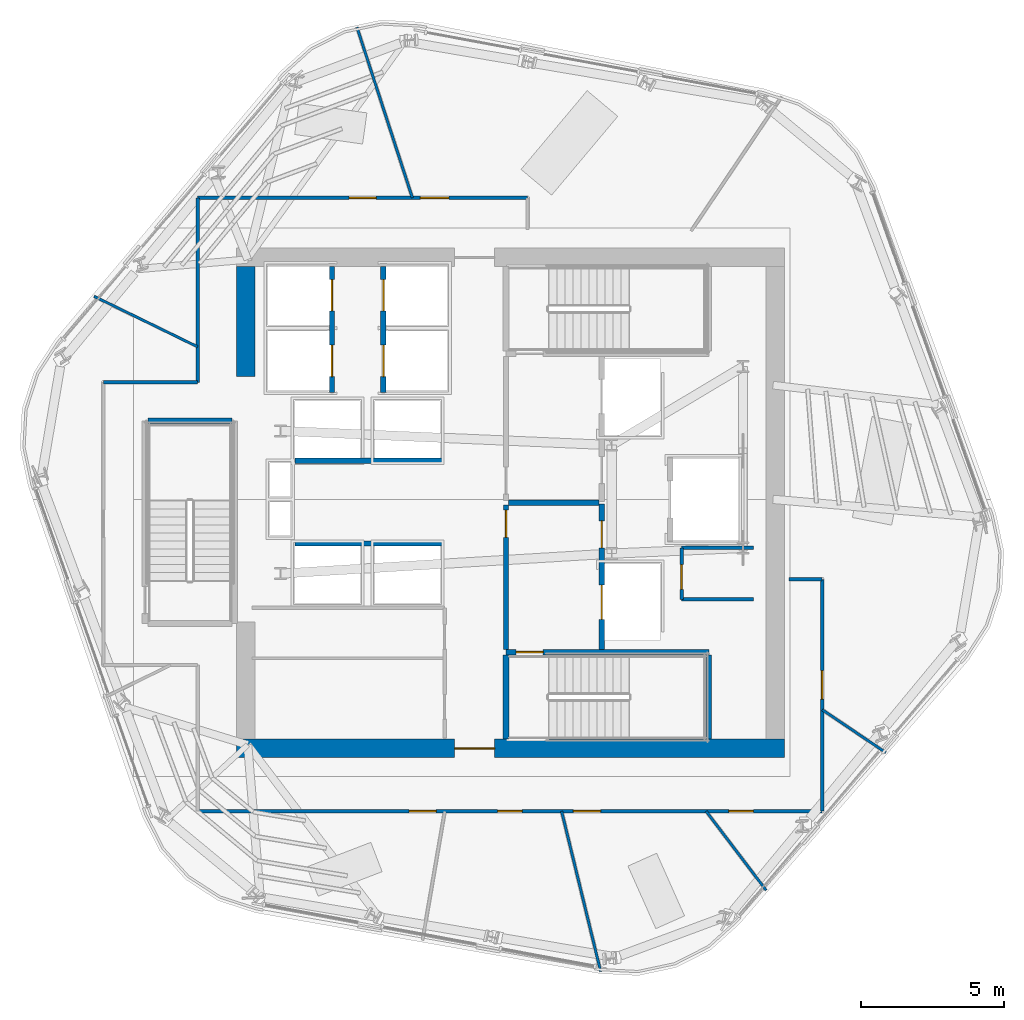
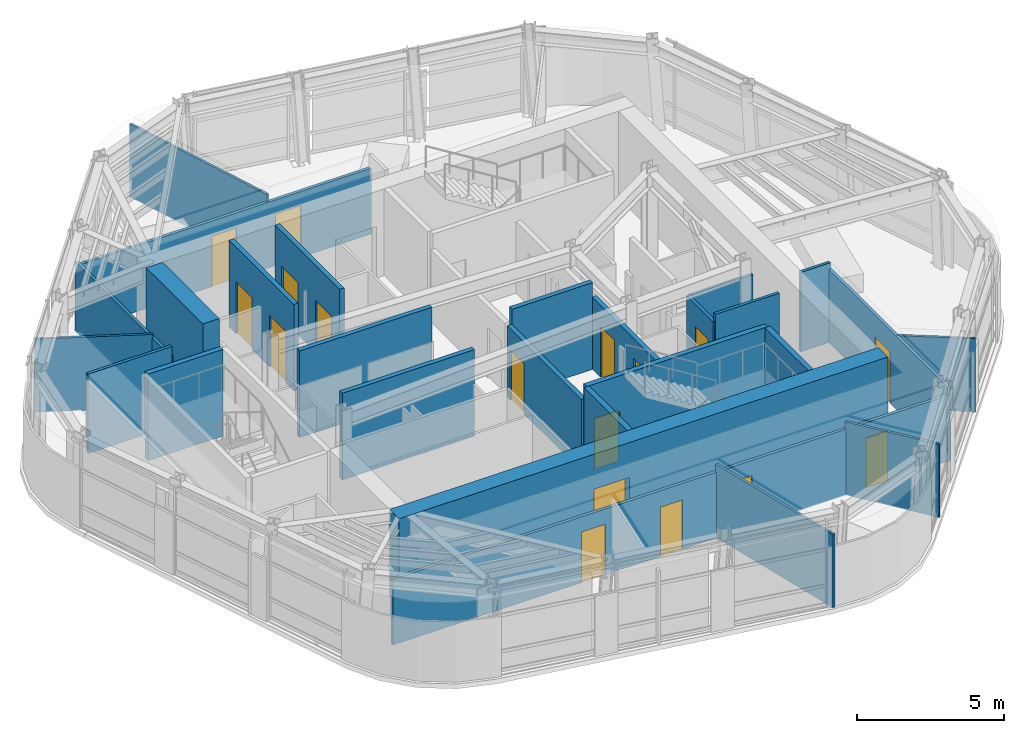
# One storey, part 6 of 12: 27 walls, 17 doors, 17 openings.
"""IFC4 building model written with IfcOpenShell, lengths in metres."""

from ifc_helpers import new_model, si_unit, direction, frame, frame_2d, origin, place, context, subcontext, project, spatial, rectangle, extrude, material, layer, layer_set, type_object, element, fill, save


model = new_model("IFC4")

# Units and contexts
model_context = context("Model", 3, precision=1e-05, world=origin(), true_north=direction((0.0, 1.0)))
body_context = subcontext(model_context, "Body", "Model", "MODEL_VIEW")
ifc_project = project(units=[si_unit("LENGTHUNIT", "METRE"), si_unit("AREAUNIT", "SQUARE_METRE"), si_unit("VOLUMEUNIT", "CUBIC_METRE"), si_unit("PLANEANGLEUNIT", "RADIAN"), si_unit("MASSUNIT", "GRAM", prefix="KILO")], contexts=[model_context])

# Site, building, storey
site_placement = place(None, origin())
site = spatial("IfcSite", under=ifc_project, at=site_placement, CompositionType="ELEMENT")
building_placement = place(site_placement, origin())
building = spatial("IfcBuilding", under=site, at=building_placement, Name="Valkerne Bourse Tower", CompositionType="ELEMENT")
storey_placement = place(building_placement, frame((0.0, 0.0, 236.0)))
storey = spatial("IfcBuildingStorey", under=building, at=storey_placement, Name="L60", CompositionType="ELEMENT", Elevation=236.0)

# Wall, opening, door
ifc_material_1 = material(Name="Concrete C55/67", Category="concrete")
ifc_layer_1 = layer(ifc_material_1, 0.64990234375)
ifc_layer_set_1 = layer_set([ifc_layer_1], Name="Concrete C55/67")
wall_type_1 = type_object("IfcWallType", Name="W-CORE-650", PredefinedType="SHEAR", material=ifc_layer_set_1)
wall_1_placement = place(storey_placement, frame((37.199951171875, 18.27490234375, 0.0), z_axis=(0.0, 0.0, 1.0), x_axis=(1.0, 0.0, 0.0)))
wall_1 = element("IfcWall", 1, at=wall_1_placement, inside=storey, type_object=wall_type_1, Name="L60 Core Shear Wall SOUTH", PredefinedType="SHEAR", context=body_context, shape_type="SweptSolid", body=[
    extrude(rectangle(XDim=19.199951171875, YDim=0.64990234375, at=frame_2d((9.60009765625, 0.0))), origin(), (0.0, 0.0, 1.0), 3.60009765625),
])
opening_1_placement = place(wall_1_placement, frame((7.64990234375, 0.0, 0.0)))
opening_1 = element("IfcOpeningElement", 2, at=opening_1_placement, cuts=wall_1, Name="Opening D-PL-1400", PredefinedType="OPENING", context=body_context, shape_type="SweptSolid", body=[
    extrude(rectangle(XDim=1.39990234375, YDim=2.14990234375, at=frame_2d((0.699951171875, 1.074951171875))), frame((0.0, 0.3349609375, 0.0), z_axis=(0.0, -1.0, 0.0), x_axis=(1.0, 0.0, 0.0)), (0.0, 0.0, 1.0), 0.669921875),
])
ifc_material_2 = material(Name="Galvanised Painted Steel", Category="steel")
door_type_1 = type_object("IfcDoorType", Name="DR-PLT-1400", OperationType="DOUBLE_DOOR_SINGLE_SWING", PredefinedType="DOOR", material=ifc_material_2)
door_1_placement = place(opening_1_placement, origin())
door_1 = element("IfcDoor", 3, at=door_1_placement, inside=storey, type_object=door_type_1, Name="L60 South Passenger Lift Hall Fire Door", OperationType="DOUBLE_DOOR_SINGLE_SWING", OverallHeight=2.14990234375, OverallWidth=1.39990234375, PredefinedType="DOOR", context=body_context, shape_type="SweptSolid", body=[
    extrude(rectangle(XDim=1.39990234375, YDim=2.14990234375, at=frame_2d((0.699951171875, 1.074951171875))), frame((0.0, 0.02490234375, 0.0), z_axis=(0.0, -1.0, 0.0), x_axis=(1.0, 0.0, 0.0)), (0.0, 0.0, 1.0), 0.050048828125),
])
fill(opening_1, door_1)

# Wall
wall_2_placement = place(storey_placement, frame((37.52490234375, 31.300048828125, 0.0), z_axis=(0.0, 0.0, 1.0), x_axis=(0.0, 1.0, 0.0)))
element("IfcWall", 4, at=wall_2_placement, inside=storey, type_object=wall_type_1, Name="L60 Core Shear Wall WEST-N", PredefinedType="SHEAR", context=body_context, shape_type="SweptSolid", body=[
    extrude(rectangle(XDim=3.849853515625, YDim=0.64990234375, at=frame_2d((1.9248046875, 0.0))), origin(), (0.0, 0.0, 1.0), 3.60009765625),
])

# Wall, opening, door
ifc_material_3 = material(Name="Gypsum Board Steel-Stud Partition", Category="steel")
ifc_layer_2 = layer(ifc_material_3, 0.117919921875)
ifc_layer_set_2 = layer_set([ifc_layer_2], Name="Gypsum Board Steel-Stud Partition")
wall_type_2 = type_object("IfcWallType", Name="W-CORR-140", PredefinedType="PARTITIONING", material=ifc_layer_set_2)
wall_3_placement = place(storey_placement, frame((52.800048828125, 23.5, 0.0), z_axis=(0.0, 0.0, 1.0), x_axis=(0.0, 1.0, 0.0)))
wall_3 = element("IfcWall", 5, at=wall_3_placement, inside=storey, type_object=wall_type_2, Name="L60 Core SE North-Bay West Wall", PredefinedType="PARTITIONING", context=body_context, shape_type="SweptSolid", body=[
    extrude(rectangle(XDim=1.800048828125, YDim=0.117919921875, at=frame_2d((0.89990234375, 0.0))), origin(), (0.0, 0.0, 1.0), 2.977783203125),
])
opening_2_placement = place(wall_3_placement, frame((0.35009765625, 0.0, 0.0)))
opening_2 = element("IfcOpeningElement", 6, at=opening_2_placement, cuts=wall_3, Name="Opening D-WC-900", PredefinedType="OPENING", context=body_context, shape_type="SweptSolid", body=[
    extrude(rectangle(XDim=0.860107421875, YDim=2.050048828125, at=frame_2d((0.43017578125, 1.02490234375))), frame((0.0, 0.06884765625, 0.0), z_axis=(0.0, -1.0, 0.0), x_axis=(1.0, 0.0, 0.0)), (0.0, 0.0, 1.0), 0.137939453125),
])
ifc_material_4 = material(Name="Architectural White Oak Timber", Category="wood")
door_type_2 = type_object("IfcDoorType", Name="DR-WC-900", OperationType="NOTDEFINED", PredefinedType="DOOR", material=ifc_material_4)
door_2_placement = place(opening_2_placement, origin())
door_2 = element("IfcDoor", 7, at=door_2_placement, inside=storey, type_object=door_type_2, Name="L60 Telecom Closet Door", OperationType="SINGLE_SWING_LEFT", OverallHeight=2.050048828125, OverallWidth=0.860107421875, PredefinedType="DOOR", context=body_context, shape_type="SweptSolid", body=[
    extrude(rectangle(XDim=0.860107421875, YDim=2.050048828125, at=frame_2d((0.43017578125, 1.02490234375))), frame((0.0, 0.02490234375, 0.0), z_axis=(0.0, -1.0, 0.0), x_axis=(1.0, 0.0, 0.0)), (0.0, 0.0, 1.0), 0.050048828125),
])
fill(opening_2, door_2)

# Walls
wall_4_placement = place(storey_placement, frame((52.800048828125, 23.5, 0.0), z_axis=(0.0, 0.0, 1.0), x_axis=(1.0, 0.0, 0.0)))
element("IfcWall", 8, at=wall_4_placement, inside=storey, type_object=wall_type_2, Name="L60 Core SE North-Bay South Wall", PredefinedType="PARTITIONING", context=body_context, shape_type="SweptSolid", body=[
    extrude(rectangle(XDim=2.52001953125, YDim=0.117919921875, at=frame_2d((1.260009765625, 0.0))), origin(), (0.0, 0.0, 1.0), 3.300048828125),
])
wall_5_placement = place(storey_placement, frame((52.800048828125, 25.300048828125, 0.0), z_axis=(0.0, 0.0, 1.0), x_axis=(1.0, 0.0, 0.0)))
element("IfcWall", 9, at=wall_5_placement, inside=storey, type_object=wall_type_2, Name="L60 Core SE North-Bay North Wall", PredefinedType="PARTITIONING", context=body_context, shape_type="SweptSolid", body=[
    extrude(rectangle(XDim=2.52001953125, YDim=0.117919921875, at=frame_2d((1.260009765625, 0.0))), origin(), (0.0, 0.0, 1.0), 2.977783203125),
])
wall_6_placement = place(storey_placement, frame((32.550048828125, 31.10009765625, 0.0), z_axis=(0.0, 0.0, 1.0), x_axis=(1.0, 0.0, 0.0)))
element("IfcWall", 10, at=wall_6_placement, inside=storey, type_object=wall_type_2, Name="L60 Corridor Enclosure Wall", PredefinedType="PARTITIONING", context=body_context, shape_type="SweptSolid", body=[
    extrude(rectangle(XDim=3.300048828125, YDim=0.117919921875, at=frame_2d((1.64990234375, 0.0))), origin(), (0.0, 0.0, 1.0), 3.300048828125),
])
wall_7_placement = place(storey_placement, frame((35.85009765625, 31.10009765625, 0.0), z_axis=(0.0, 0.0, 1.0), x_axis=(0.0, 1.0, 0.0)))
element("IfcWall", 11, at=wall_7_placement, inside=storey, type_object=wall_type_2, Name="L60 Corridor Enclosure Wall", PredefinedType="PARTITIONING", context=body_context, shape_type="SweptSolid", body=[
    extrude(rectangle(XDim=6.4599609375, YDim=0.117919921875, at=frame_2d((3.22998046875, 0.0))), origin(), (0.0, 0.0, 1.0), 2.896484375),
])

# Wall, openings, doors
wall_8_placement = place(storey_placement, frame((35.85009765625, 37.56005859375, 0.0), z_axis=(0.0, 0.0, 1.0), x_axis=(1.0, 0.0, 0.0)))
wall_8 = element("IfcWall", 12, at=wall_8_placement, inside=storey, type_object=wall_type_2, Name="L60 Corridor Enclosure Wall", PredefinedType="PARTITIONING", context=body_context, shape_type="SweptSolid", body=[
    extrude(rectangle(XDim=11.5498046875, YDim=0.117919921875, at=frame_2d((5.77490234375, 0.0))), origin(), (0.0, 0.0, 1.0), 2.7314453125),
])
opening_3_placement = place(wall_8_placement, frame((5.300048828125, 0.0, 0.0)))
opening_3 = element("IfcOpeningElement", 13, at=opening_3_placement, cuts=wall_8, Name="Opening D-OF-950", PredefinedType="OPENING", context=body_context, shape_type="SweptSolid", body=[
    extrude(rectangle(XDim=0.949951171875, YDim=2.10009765625, at=frame_2d((0.47509765625, 1.050048828125))), frame((0.0, 0.06884765625, 0.0), z_axis=(0.0, -1.0, 0.0), x_axis=(1.0, 0.0, 0.0)), (0.0, 0.0, 1.0), 0.137939453125),
])
opening_4_placement = place(wall_8_placement, frame((7.794921875, 0.0, 0.0)))
opening_4 = element("IfcOpeningElement", 14, at=opening_4_placement, cuts=wall_8, Name="Opening D-MG-1000", PredefinedType="OPENING", context=body_context, shape_type="SweptSolid", body=[
    extrude(rectangle(XDim=1.0, YDim=2.14990234375, at=frame_2d((0.5, 1.074951171875))), frame((0.0, 0.06884765625, 0.0), z_axis=(0.0, -1.0, 0.0), x_axis=(1.0, 0.0, 0.0)), (0.0, 0.0, 1.0), 0.137939453125),
])
ifc_material_5 = material(Name="Laminated Tempered Safety Glass", Category="glass")
door_type_3 = type_object("IfcDoorType", Name="DR-MTG-1000", OperationType="NOTDEFINED", PredefinedType="DOOR", material=ifc_material_5)
door_3_placement = place(opening_4_placement, origin())
door_3 = element("IfcDoor", 15, at=door_3_placement, inside=storey, type_object=door_type_3, Name="L60 L60 Client Strategy Conference Room 7 Door", OperationType="SINGLE_SWING_RIGHT", OverallHeight=2.14990234375, OverallWidth=1.0, PredefinedType="DOOR", context=body_context, shape_type="SweptSolid", body=[
    extrude(rectangle(XDim=1.0, YDim=2.14990234375, at=frame_2d((0.5, 1.074951171875))), frame((0.0, 0.02490234375, 0.0), z_axis=(0.0, -1.0, 0.0), x_axis=(1.0, 0.0, 0.0)), (0.0, 0.0, 1.0), 0.050048828125),
])
fill(opening_4, door_3)
door_type_4 = type_object("IfcDoorType", Name="DR-OFF-950", OperationType="NOTDEFINED", PredefinedType="DOOR", material=ifc_material_4)
door_4_placement = place(opening_3_placement, origin())
door_4 = element("IfcDoor", 16, at=door_4_placement, inside=storey, type_object=door_type_4, Name="L60 L60 Exchange Security Control Room 5 Door", OperationType="SINGLE_SWING_RIGHT", OverallHeight=2.10009765625, OverallWidth=0.949951171875, PredefinedType="DOOR", context=body_context, shape_type="SweptSolid", body=[
    extrude(rectangle(XDim=0.949951171875, YDim=2.10009765625, at=frame_2d((0.47509765625, 1.050048828125))), frame((0.0, 0.02490234375, 0.0), z_axis=(0.0, -1.0, 0.0), x_axis=(1.0, 0.0, 0.0)), (0.0, 0.0, 1.0), 0.050048828125),
])
fill(opening_3, door_4)

# Wall
wall_9_placement = place(storey_placement, frame((56.56005859375, 24.199951171875, 0.0), z_axis=(0.0, 0.0, 1.0), x_axis=(1.0, 0.0, 0.0)))
element("IfcWall", 17, at=wall_9_placement, inside=storey, type_object=wall_type_2, Name="L60 Corridor Enclosure Wall", PredefinedType="PARTITIONING", context=body_context, shape_type="SweptSolid", body=[
    extrude(rectangle(XDim=1.159912109375, YDim=0.117919921875, at=frame_2d((0.580078125, 0.0))), origin(), (0.0, 0.0, 1.0), 3.300048828125),
])

# Wall, opening, door
wall_10_placement = place(storey_placement, frame((57.719970703125, 24.199951171875, 0.0), z_axis=(0.0, 0.0, 1.0), x_axis=(0.0, -1.0, 0.0)))
wall_10 = element("IfcWall", 18, at=wall_10_placement, inside=storey, type_object=wall_type_2, Name="L60 Corridor Enclosure Wall", PredefinedType="PARTITIONING", context=body_context, shape_type="SweptSolid", body=[
    extrude(rectangle(XDim=8.119873046875, YDim=0.117919921875, at=frame_2d((4.06005859375, 0.0))), origin(), (0.0, 0.0, 1.0), 3.036376953125),
])
opening_5_placement = place(wall_10_placement, frame((3.199951171875, 0.0, 0.0)))
opening_5 = element("IfcOpeningElement", 19, at=opening_5_placement, cuts=wall_10, Name="Opening D-MG-1000", PredefinedType="OPENING", context=body_context, shape_type="SweptSolid", body=[
    extrude(rectangle(XDim=1.0, YDim=2.14990234375, at=frame_2d((0.5, 1.074951171875))), frame((0.0, 0.06884765625, 0.0), z_axis=(0.0, -1.0, 0.0), x_axis=(1.0, 0.0, 0.0)), (0.0, 0.0, 1.0), 0.137939453125),
])
door_5_placement = place(opening_5_placement, origin())
door_5 = element("IfcDoor", 20, at=door_5_placement, inside=storey, type_object=door_type_3, Name="L60 L60 Client Strategy Conference Room 8 Door", OperationType="SINGLE_SWING_RIGHT", OverallHeight=2.14990234375, OverallWidth=1.0, PredefinedType="DOOR", context=body_context, shape_type="SweptSolid", body=[
    extrude(rectangle(XDim=1.0, YDim=2.14990234375, at=frame_2d((0.5, 1.074951171875))), frame((0.0, 0.02490234375, 0.0), z_axis=(0.0, -1.0, 0.0), x_axis=(1.0, 0.0, 0.0)), (0.0, 0.0, 1.0), 0.050048828125),
])
fill(opening_5, door_5)

# Wall, openings, doors
wall_11_placement = place(storey_placement, frame((57.719970703125, 16.080078125, 0.0), z_axis=(0.0, 0.0, 1.0), x_axis=(-1.0, 0.0, 0.0)))
wall_11 = element("IfcWall", 21, at=wall_11_placement, inside=storey, type_object=wall_type_2, Name="L60 Corridor Enclosure Wall", PredefinedType="PARTITIONING", context=body_context, shape_type="SweptSolid", body=[
    extrude(rectangle(XDim=21.869873046875, YDim=0.117919921875, at=frame_2d((10.93505859375, 0.0))), origin(), (0.0, 0.0, 1.0), 2.7314453125),
])
opening_6_placement = place(wall_11_placement, frame((2.405029296875, 0.0, 0.0)))
opening_6 = element("IfcOpeningElement", 22, at=opening_6_placement, cuts=wall_11, Name="Opening D-WC-900", PredefinedType="OPENING", context=body_context, shape_type="SweptSolid", body=[
    extrude(rectangle(XDim=0.860107421875, YDim=2.050048828125, at=frame_2d((0.43017578125, 1.02490234375))), frame((0.0, 0.06884765625, 0.0), z_axis=(0.0, -1.0, 0.0), x_axis=(1.0, 0.0, 0.0)), (0.0, 0.0, 1.0), 0.137939453125),
])
opening_7_placement = place(wall_11_placement, frame((10.5048828125, 0.0, 0.0)))
opening_7 = element("IfcOpeningElement", 23, at=opening_7_placement, cuts=wall_11, Name="Opening D-WC-900", PredefinedType="OPENING", context=body_context, shape_type="SweptSolid", body=[
    extrude(rectangle(XDim=0.860107421875, YDim=2.050048828125, at=frame_2d((0.43017578125, 1.02490234375))), frame((0.0, 0.06884765625, 0.0), z_axis=(0.0, -1.0, 0.0), x_axis=(1.0, 0.0, 0.0)), (0.0, 0.0, 1.0), 0.137939453125),
])
opening_8_placement = place(wall_11_placement, frame((7.760009765625, 0.0, 0.0)))
opening_8 = element("IfcOpeningElement", 24, at=opening_8_placement, cuts=wall_11, Name="Opening D-OF-950", PredefinedType="OPENING", context=body_context, shape_type="SweptSolid", body=[
    extrude(rectangle(XDim=0.949951171875, YDim=2.10009765625, at=frame_2d((0.47509765625, 1.050048828125))), frame((0.0, 0.06884765625, 0.0), z_axis=(0.0, -1.0, 0.0), x_axis=(1.0, 0.0, 0.0)), (0.0, 0.0, 1.0), 0.137939453125),
])
opening_9_placement = place(wall_11_placement, frame((13.52001953125, 0.0, 0.0)))
opening_9 = element("IfcOpeningElement", 25, at=opening_9_placement, cuts=wall_11, Name="Opening D-OF-950", PredefinedType="OPENING", context=body_context, shape_type="SweptSolid", body=[
    extrude(rectangle(XDim=0.949951171875, YDim=2.10009765625, at=frame_2d((0.47509765625, 1.050048828125))), frame((0.0, 0.06884765625, 0.0), z_axis=(0.0, -1.0, 0.0), x_axis=(1.0, 0.0, 0.0)), (0.0, 0.0, 1.0), 0.137939453125),
])
door_6_placement = place(opening_8_placement, origin())
door_6 = element("IfcDoor", 26, at=door_6_placement, inside=storey, type_object=door_type_4, Name="L60 L60 Commodities Market Showroom 3 Door", OperationType="SINGLE_SWING_RIGHT", OverallHeight=2.10009765625, OverallWidth=0.949951171875, PredefinedType="DOOR", context=body_context, shape_type="SweptSolid", body=[
    extrude(rectangle(XDim=0.949951171875, YDim=2.10009765625, at=frame_2d((0.47509765625, 1.050048828125))), frame((0.0, 0.02490234375, 0.0), z_axis=(0.0, -1.0, 0.0), x_axis=(1.0, 0.0, 0.0)), (0.0, 0.0, 1.0), 0.050048828125),
])
fill(opening_8, door_6)
door_7_placement = place(opening_9_placement, origin())
door_7 = element("IfcDoor", 27, at=door_7_placement, inside=storey, type_object=door_type_4, Name="L60 L60 Exchange Security Control Room 6 Door", OperationType="SINGLE_SWING_RIGHT", OverallHeight=2.10009765625, OverallWidth=0.949951171875, PredefinedType="DOOR", context=body_context, shape_type="SweptSolid", body=[
    extrude(rectangle(XDim=0.949951171875, YDim=2.10009765625, at=frame_2d((0.47509765625, 1.050048828125))), frame((0.0, 0.02490234375, 0.0), z_axis=(0.0, -1.0, 0.0), x_axis=(1.0, 0.0, 0.0)), (0.0, 0.0, 1.0), 0.050048828125),
])
fill(opening_9, door_7)
door_8_placement = place(opening_6_placement, origin())
door_8 = element("IfcDoor", 28, at=door_8_placement, inside=storey, type_object=door_type_2, Name="L60 L60 Men Bathroom WC 1 Door", OperationType="SINGLE_SWING_RIGHT", OverallHeight=2.050048828125, OverallWidth=0.860107421875, PredefinedType="DOOR", context=body_context, shape_type="SweptSolid", body=[
    extrude(rectangle(XDim=0.860107421875, YDim=2.050048828125, at=frame_2d((0.43017578125, 1.02490234375))), frame((0.0, 0.02490234375, 0.0), z_axis=(0.0, -1.0, 0.0), x_axis=(1.0, 0.0, 0.0)), (0.0, 0.0, 1.0), 0.050048828125),
])
fill(opening_6, door_8)
door_9_placement = place(opening_7_placement, origin())
door_9 = element("IfcDoor", 29, at=door_9_placement, inside=storey, type_object=door_type_2, Name="L60 L60 Women Restroom & Shower WC 2 Door", OperationType="SINGLE_SWING_RIGHT", OverallHeight=2.050048828125, OverallWidth=0.860107421875, PredefinedType="DOOR", context=body_context, shape_type="SweptSolid", body=[
    extrude(rectangle(XDim=0.860107421875, YDim=2.050048828125, at=frame_2d((0.43017578125, 1.02490234375))), frame((0.0, 0.02490234375, 0.0), z_axis=(0.0, -1.0, 0.0), x_axis=(1.0, 0.0, 0.0)), (0.0, 0.0, 1.0), 0.050048828125),
])
fill(opening_7, door_9)

# Wall
ifc_material_6 = material(Name="Gypsum Fire-Rated Shaftwall", Category="gypsum")
ifc_layer_3 = layer(ifc_material_6, 0.179931640625)
ifc_layer_set_3 = layer_set([ifc_layer_3], Name="Gypsum Fire-Rated Shaftwall")
wall_type_3 = type_object("IfcWallType", Name="W-FSAE-180", PredefinedType="PARTITIONING", material=ifc_layer_set_3)
wall_12_placement = place(storey_placement, frame((46.739990234375, 26.8798828125, 0.0), z_axis=(0.0, 0.0, 1.0), x_axis=(1.0, 0.0, 0.0)))
element("IfcWall", 30, at=wall_12_placement, inside=storey, type_object=wall_type_3, Name="L60 FSAE-1/2 Lobby Dividing Fire Wall", PredefinedType="PARTITIONING", context=body_context, shape_type="SweptSolid", body=[
    extrude(rectangle(XDim=3.169921875, YDim=0.179931640625, at=frame_2d((1.5849609375, 0.0))), origin(), (0.0, 0.0, 1.0), 3.60009765625),
])

# Wall, opening, door
wall_13_placement = place(storey_placement, frame((46.64990234375, 21.75, 0.0), z_axis=(0.0, 0.0, 1.0), x_axis=(0.0, 1.0, 0.0)))
wall_13 = element("IfcWall", 31, at=wall_13_placement, inside=storey, type_object=wall_type_3, Name="L60 FSAE-1 Lobby West Fire Wall", PredefinedType="PARTITIONING", context=body_context, shape_type="SweptSolid", body=[
    extrude(rectangle(XDim=5.050048828125, YDim=0.179931640625, at=frame_2d((2.52490234375, 0.0))), origin(), (0.0, 0.0, 1.0), 2.977783203125),
])
opening_10_placement = place(wall_13_placement, frame((3.919921875, 0.0, 0.0)))
opening_10 = element("IfcOpeningElement", 32, at=opening_10_placement, cuts=wall_13, Name="Opening D-FS-950", PredefinedType="OPENING", context=body_context, shape_type="SweptSolid", body=[
    extrude(rectangle(XDim=0.949951171875, YDim=2.10009765625, at=frame_2d((0.47509765625, 1.050048828125))), frame((0.0, 0.099853515625, 0.0), z_axis=(0.0, -1.0, 0.0), x_axis=(1.0, 0.0, 0.0)), (0.0, 0.0, 1.0), 0.199951171875),
])
door_type_5 = type_object("IfcDoorType", Name="DR-FSAE-950", OperationType="NOTDEFINED", PredefinedType="DOOR", material=ifc_material_2)
door_10_placement = place(opening_10_placement, origin())
door_10 = element("IfcDoor", 33, at=door_10_placement, inside=storey, type_object=door_type_5, Name="L60 FSAE-1 Hall Link Fire Door", OperationType="SINGLE_SWING_LEFT", OverallHeight=2.10009765625, OverallWidth=0.949951171875, PredefinedType="DOOR", context=body_context, shape_type="SweptSolid", body=[
    extrude(rectangle(XDim=0.949951171875, YDim=2.10009765625, at=frame_2d((0.47509765625, 1.050048828125))), frame((0.0, 0.02490234375, 0.0), z_axis=(0.0, -1.0, 0.0), x_axis=(1.0, 0.0, 0.0)), (0.0, 0.0, 1.0), 0.050048828125),
])
fill(opening_10, door_10)

# Wall, openings, doors
wall_14_placement = place(storey_placement, frame((50.0, 21.75, 0.0), z_axis=(0.0, 0.0, 1.0), x_axis=(0.0, 1.0, 0.0)))
wall_14 = element("IfcWall", 34, at=wall_14_placement, inside=storey, type_object=wall_type_3, Name="L60 FSAE-1 Lobby & Shaft Front Wall", PredefinedType="PARTITIONING", context=body_context, shape_type="SweptSolid", body=[
    extrude(rectangle(XDim=5.090087890625, YDim=0.179931640625, at=frame_2d((2.544921875, 0.0))), origin(), (0.0, 0.0, 1.0), 2.977783203125),
])
opening_11_placement = place(wall_14_placement, frame((1.050048828125, 0.0, 0.0)))
opening_11 = element("IfcOpeningElement", 35, at=opening_11_placement, cuts=wall_14, Name="Opening LD-1200", PredefinedType="OPENING", context=body_context, shape_type="SweptSolid", body=[
    extrude(rectangle(XDim=1.199951171875, YDim=2.14990234375, at=frame_2d((0.60009765625, 1.074951171875))), frame((0.0, 0.099853515625, 0.0), z_axis=(0.0, -1.0, 0.0), x_axis=(1.0, 0.0, 0.0)), (0.0, 0.0, 1.0), 0.199951171875),
])
opening_12_placement = place(wall_14_placement, frame((3.550048828125, 0.0, 0.0)))
opening_12 = element("IfcOpeningElement", 36, at=opening_12_placement, cuts=wall_14, Name="Opening D-FS-950", PredefinedType="OPENING", context=body_context, shape_type="SweptSolid", body=[
    extrude(rectangle(XDim=0.949951171875, YDim=2.10009765625, at=frame_2d((0.47509765625, 1.050048828125))), frame((0.0, 0.099853515625, 0.0), z_axis=(0.0, -1.0, 0.0), x_axis=(1.0, 0.0, 0.0)), (0.0, 0.0, 1.0), 0.199951171875),
])
door_11_placement = place(opening_12_placement, origin())
door_11 = element("IfcDoor", 37, at=door_11_placement, inside=storey, type_object=door_type_5, Name="L60 FSAE-1 Lobby Corridor Fire Door", OperationType="SINGLE_SWING_LEFT", OverallHeight=2.10009765625, OverallWidth=0.949951171875, PredefinedType="DOOR", context=body_context, shape_type="SweptSolid", body=[
    extrude(rectangle(XDim=0.949951171875, YDim=2.10009765625, at=frame_2d((0.47509765625, 1.050048828125))), frame((0.0, 0.02490234375, 0.0), z_axis=(0.0, -1.0, 0.0), x_axis=(1.0, 0.0, 0.0)), (0.0, 0.0, 1.0), 0.050048828125),
])
fill(opening_12, door_11)
ifc_material_7 = material(Name="Stainless Steel AISI 316", Category="steel")
door_type_6 = type_object("IfcDoorType", Name="DR-LIFT-1200", OperationType="DOUBLE_DOOR_SLIDING", PredefinedType="DOOR", material=ifc_material_7)
door_12_placement = place(opening_11_placement, origin())
door_12 = element("IfcDoor", 38, at=door_12_placement, inside=storey, type_object=door_type_6, Name="L60 FSAE-1 Firefighting Lift Landing Door", OperationType="DOUBLE_DOOR_SLIDING", OverallHeight=2.14990234375, OverallWidth=1.199951171875, PredefinedType="DOOR", context=body_context, shape_type="SweptSolid", body=[
    extrude(rectangle(XDim=1.199951171875, YDim=2.14990234375, at=frame_2d((0.60009765625, 1.074951171875))), frame((0.0, 0.02490234375, 0.0), z_axis=(0.0, -1.0, 0.0), x_axis=(1.0, 0.0, 0.0)), (0.0, 0.0, 1.0), 0.050048828125),
])
fill(opening_11, door_12)

ifc_material_8 = material(Name="CMU Blockwork Masonry 200mm", Category="masonry")
ifc_layer_4 = layer(ifc_material_8, 0.179931640625)
ifc_layer_set_4 = layer_set([ifc_layer_4], Name="CMU Blockwork Masonry 200mm")
wall_type_4 = type_object("IfcWallType", Name="W-LFT-180", PredefinedType="SOLIDWALL", material=ifc_layer_set_4)
wall_15_placement = place(storey_placement, frame((40.550048828125, 30.75, 0.0), z_axis=(0.0, 0.0, 1.0), x_axis=(0.0, 1.0, 0.0)))
wall_15 = element("IfcWall", 39, at=wall_15_placement, inside=storey, type_object=wall_type_4, Name="L60 Mid-Zone West Cars Front Wall", PredefinedType="SOLIDWALL", context=body_context, shape_type="SweptSolid", body=[
    extrude(rectangle(XDim=4.39990234375, YDim=0.179931640625, at=frame_2d((2.199951171875, 0.0))), origin(), (0.0, 0.0, 1.0), 3.60009765625),
])
opening_13_placement = place(wall_15_placement, frame((0.550048828125, 0.0, 0.0)))
opening_13 = element("IfcOpeningElement", 40, at=opening_13_placement, cuts=wall_15, Name="Opening LD-1100", PredefinedType="OPENING", context=body_context, shape_type="SweptSolid", body=[
    extrude(rectangle(XDim=1.10009765625, YDim=2.14990234375, at=frame_2d((0.550048828125, 1.074951171875))), frame((0.0, 0.099853515625, 0.0), z_axis=(0.0, -1.0, 0.0), x_axis=(1.0, 0.0, 0.0)), (0.0, 0.0, 1.0), 0.199951171875),
])
opening_14_placement = place(wall_15_placement, frame((2.85009765625, 0.0, 0.0)))
opening_14 = element("IfcOpeningElement", 41, at=opening_14_placement, cuts=wall_15, Name="Opening LD-1100", PredefinedType="OPENING", context=body_context, shape_type="SweptSolid", body=[
    extrude(rectangle(XDim=1.10009765625, YDim=2.14990234375, at=frame_2d((0.550048828125, 1.074951171875))), frame((0.0, 0.099853515625, 0.0), z_axis=(0.0, -1.0, 0.0), x_axis=(1.0, 0.0, 0.0)), (0.0, 0.0, 1.0), 0.199951171875),
])
door_type_7 = type_object("IfcDoorType", Name="DR-LIFT-1100", OperationType="DOUBLE_DOOR_SLIDING", PredefinedType="DOOR", material=ifc_material_7)
door_13_placement = place(opening_13_placement, origin())
door_13 = element("IfcDoor", 42, at=door_13_placement, inside=storey, type_object=door_type_7, Name="L60 Passenger Lift PL-M1 Sliding Landing Door", OperationType="DOUBLE_DOOR_SLIDING", OverallHeight=2.14990234375, OverallWidth=1.10009765625, PredefinedType="DOOR", context=body_context, shape_type="SweptSolid", body=[
    extrude(rectangle(XDim=1.10009765625, YDim=2.14990234375, at=frame_2d((0.550048828125, 1.074951171875))), frame((0.0, 0.02490234375, 0.0), z_axis=(0.0, -1.0, 0.0), x_axis=(1.0, 0.0, 0.0)), (0.0, 0.0, 1.0), 0.050048828125),
])
fill(opening_13, door_13)
door_14_placement = place(opening_14_placement, origin())
door_14 = element("IfcDoor", 43, at=door_14_placement, inside=storey, type_object=door_type_7, Name="L60 Passenger Lift PL-M2 Sliding Landing Door", OperationType="DOUBLE_DOOR_SLIDING", OverallHeight=2.14990234375, OverallWidth=1.10009765625, PredefinedType="DOOR", context=body_context, shape_type="SweptSolid", body=[
    extrude(rectangle(XDim=1.10009765625, YDim=2.14990234375, at=frame_2d((0.550048828125, 1.074951171875))), frame((0.0, 0.02490234375, 0.0), z_axis=(0.0, -1.0, 0.0), x_axis=(1.0, 0.0, 0.0)), (0.0, 0.0, 1.0), 0.050048828125),
])
fill(opening_14, door_14)

wall_16_placement = place(storey_placement, frame((42.35009765625, 30.75, 0.0), z_axis=(0.0, 0.0, 1.0), x_axis=(0.0, 1.0, 0.0)))
wall_16 = element("IfcWall", 44, at=wall_16_placement, inside=storey, type_object=wall_type_4, Name="L60 Mid-Zone East Cars Front Wall", PredefinedType="SOLIDWALL", context=body_context, shape_type="SweptSolid", body=[
    extrude(rectangle(XDim=4.39990234375, YDim=0.179931640625, at=frame_2d((2.199951171875, 0.0))), origin(), (0.0, 0.0, 1.0), 3.60009765625),
])
opening_15_placement = place(wall_16_placement, frame((0.550048828125, 0.0, 0.0)))
opening_15 = element("IfcOpeningElement", 45, at=opening_15_placement, cuts=wall_16, Name="Opening LD-1100", PredefinedType="OPENING", context=body_context, shape_type="SweptSolid", body=[
    extrude(rectangle(XDim=1.10009765625, YDim=2.14990234375, at=frame_2d((0.550048828125, 1.074951171875))), frame((0.0, 0.099853515625, 0.0), z_axis=(0.0, -1.0, 0.0), x_axis=(1.0, 0.0, 0.0)), (0.0, 0.0, 1.0), 0.199951171875),
])
opening_16_placement = place(wall_16_placement, frame((2.85009765625, 0.0, 0.0)))
opening_16 = element("IfcOpeningElement", 46, at=opening_16_placement, cuts=wall_16, Name="Opening LD-1100", PredefinedType="OPENING", context=body_context, shape_type="SweptSolid", body=[
    extrude(rectangle(XDim=1.10009765625, YDim=2.14990234375, at=frame_2d((0.550048828125, 1.074951171875))), frame((0.0, 0.099853515625, 0.0), z_axis=(0.0, -1.0, 0.0), x_axis=(1.0, 0.0, 0.0)), (0.0, 0.0, 1.0), 0.199951171875),
])
door_15_placement = place(opening_15_placement, origin())
door_15 = element("IfcDoor", 47, at=door_15_placement, inside=storey, type_object=door_type_7, Name="L60 Passenger Lift PL-M3 Sliding Landing Door", OperationType="DOUBLE_DOOR_SLIDING", OverallHeight=2.14990234375, OverallWidth=1.10009765625, PredefinedType="DOOR", context=body_context, shape_type="SweptSolid", body=[
    extrude(rectangle(XDim=1.10009765625, YDim=2.14990234375, at=frame_2d((0.550048828125, 1.074951171875))), frame((0.0, 0.02490234375, 0.0), z_axis=(0.0, -1.0, 0.0), x_axis=(1.0, 0.0, 0.0)), (0.0, 0.0, 1.0), 0.050048828125),
])
fill(opening_15, door_15)
door_16_placement = place(opening_16_placement, origin())
door_16 = element("IfcDoor", 48, at=door_16_placement, inside=storey, type_object=door_type_7, Name="L60 Passenger Lift PL-M4 Sliding Landing Door", OperationType="DOUBLE_DOOR_SLIDING", OverallHeight=2.14990234375, OverallWidth=1.10009765625, PredefinedType="DOOR", context=body_context, shape_type="SweptSolid", body=[
    extrude(rectangle(XDim=1.10009765625, YDim=2.14990234375, at=frame_2d((0.550048828125, 1.074951171875))), frame((0.0, 0.02490234375, 0.0), z_axis=(0.0, -1.0, 0.0), x_axis=(1.0, 0.0, 0.0)), (0.0, 0.0, 1.0), 0.050048828125),
])
fill(opening_16, door_16)

# Walls
for number, where, z_axis, x_axis, name in (
    (49, (39.25, 25.449951171875, 0.0), (0.0, 0.0, 1.0), (1.0, 0.0, 0.0), "L60 High-Zone South Cars Front Wall"),
    (50, (39.25, 28.35009765625, 0.0), (0.0, 0.0, 1.0), (1.0, 0.0, 0.0), "L60 High-Zone North Cars Front Wall"),
):
    element("IfcWall", number, at=place(storey_placement, frame(where, z_axis=z_axis, x_axis=x_axis)), inside=storey, type_object=wall_type_4, Name=name, PredefinedType="SOLIDWALL", context=body_context, shape_type="SweptSolid", body=[
        extrude(rectangle(XDim=5.199951171875, YDim=0.179931640625, at=frame_2d((2.60009765625, 0.0))), origin(), (0.0, 0.0, 1.0), 3.60009765625),
    ])
ifc_layer_5 = layer(ifc_material_3, 0.092041015625)
ifc_layer_set_5 = layer_set([ifc_layer_5], Name="Gypsum Board Steel-Stud Partition")
wall_type_5 = type_object("IfcWallType", Name="W-PART-115", PredefinedType="PARTITIONING", material=ifc_layer_set_5)
wall_17_placement = place(storey_placement, frame((48.59521484375, 16.074951171875, 0.0), z_axis=(0.0, 0.0, 1.0), x_axis=(0.236817138152, -0.971554240934, 0.0)))
element("IfcWall", 51, at=wall_17_placement, inside=storey, type_object=wall_type_5, Name="L60 Suite Partition P02", PredefinedType="PARTITIONING", context=body_context, shape_type="SweptSolid", body=[
    extrude(rectangle(XDim=5.7802734375, YDim=0.092041015625, at=frame_2d((2.89013671875, 0.0))), origin(), (0.0, 0.0, 1.0), 3.036376953125),
])
wall_18_placement = place(storey_placement, frame((53.65771484375, 16.074951171875, 0.0), z_axis=(0.0, 0.0, 1.0), x_axis=(0.604600263366, -0.796529046261, 0.0)))
element("IfcWall", 52, at=wall_18_placement, inside=storey, type_object=wall_type_5, Name="L60 Suite Partition P03", PredefinedType="PARTITIONING", context=body_context, shape_type="SweptSolid", body=[
    extrude(rectangle(XDim=3.473876953125, YDim=0.092041015625, at=frame_2d((1.73681640625, 0.0))), origin(), (0.0, 0.0, 1.0), 3.036376953125),
])
wall_19_placement = place(storey_placement, frame((57.72509765625, 19.631103515625, 0.0), z_axis=(0.0, 0.0, 1.0), x_axis=(0.828997506126, -0.559252299805, 0.0)))
element("IfcWall", 53, at=wall_19_placement, inside=storey, type_object=wall_type_5, Name="L60 Suite Partition P04", PredefinedType="PARTITIONING", context=body_context, shape_type="SweptSolid", body=[
    extrude(rectangle(XDim=2.680908203125, YDim=0.092041015625, at=frame_2d((1.34033203125, 0.0))), origin(), (0.0, 0.0, 1.0), 3.036376953125),
])
wall_20_placement = place(storey_placement, frame((43.3671875, 37.56494140625, 0.0), z_axis=(0.0, 0.0, 1.0), x_axis=(-0.308998151594, 0.951062638479, 0.0)))
element("IfcWall", 54, at=wall_20_placement, inside=storey, type_object=wall_type_5, Name="L60 Suite Partition P06", PredefinedType="PARTITIONING", context=body_context, shape_type="SweptSolid", body=[
    extrude(rectangle(XDim=6.279052734375, YDim=0.092041015625, at=frame_2d((3.1396484375, 0.0))), origin(), (0.0, 0.0, 1.0), 3.036376953125),
])
wall_21_placement = place(storey_placement, frame((35.844970703125, 32.343017578125, 0.0), z_axis=(0.0, 0.0, 1.0), x_axis=(-0.898774839266, 0.438410524853, 0.0)))
element("IfcWall", 55, at=wall_21_placement, inside=storey, type_object=wall_type_5, Name="L60 Suite Partition P07", PredefinedType="PARTITIONING", context=body_context, shape_type="SweptSolid", body=[
    extrude(rectangle(XDim=4.036865234375, YDim=0.092041015625, at=frame_2d((2.0185546875, 0.0))), origin(), (0.0, 0.0, 1.0), 3.036376953125),
])

# Wall, opening, door
ifc_material_9 = material(Name="Concrete C40/50", Category="concrete")
ifc_layer_6 = layer(ifc_material_9, 0.199951171875)
ifc_layer_set_6 = layer_set([ifc_layer_6], Name="Concrete C40/50")
wall_type_6 = type_object("IfcWallType", Name="W-SHF-200", PredefinedType="SHEAR", material=ifc_layer_set_6)
wall_22_placement = place(storey_placement, frame((46.64990234375, 21.64990234375, 0.0), z_axis=(0.0, 0.0, 1.0), x_axis=(1.0, 0.0, 0.0)))
wall_22 = element("IfcWall", 56, at=wall_22_placement, inside=storey, type_object=wall_type_6, Name="L60 Exit Stair ST-1 Structural Shaft Wall North", PredefinedType="SHEAR", context=body_context, shape_type="SweptSolid", body=[
    extrude(rectangle(XDim=7.10009765625, YDim=0.199951171875, at=frame_2d((3.550048828125, 0.0))), origin(), (0.0, 0.0, 1.0), 3.60009765625),
])
opening_17_placement = place(wall_22_placement, frame((0.35009765625, 0.0, 0.0)))
opening_17 = element("IfcOpeningElement", 57, at=opening_17_placement, cuts=wall_22, Name="Opening D-ST-950", PredefinedType="OPENING", context=body_context, shape_type="SweptSolid", body=[
    extrude(rectangle(XDim=0.949951171875, YDim=2.10009765625, at=frame_2d((0.47509765625, 1.050048828125))), frame((0.0, 0.10986328125, 0.0), z_axis=(0.0, -1.0, 0.0), x_axis=(1.0, 0.0, 0.0)), (0.0, 0.0, 1.0), 0.219970703125),
])
door_type_8 = type_object("IfcDoorType", Name="DR-STAIR-950", OperationType="NOTDEFINED", PredefinedType="DOOR", material=ifc_material_2)
door_17_placement = place(opening_17_placement, origin())
door_17 = element("IfcDoor", 58, at=door_17_placement, inside=storey, type_object=door_type_8, Name="L60 Exit Stair ST-1 Door", OperationType="SINGLE_SWING_RIGHT", OverallHeight=2.10009765625, OverallWidth=0.949951171875, PredefinedType="DOOR", context=body_context, shape_type="SweptSolid", body=[
    extrude(rectangle(XDim=0.949951171875, YDim=2.10009765625, at=frame_2d((0.47509765625, 1.050048828125))), frame((0.0, 0.02490234375, 0.0), z_axis=(0.0, -1.0, 0.0), x_axis=(1.0, 0.0, 0.0)), (0.0, 0.0, 1.0), 0.050048828125),
])
fill(opening_17, door_17)

# Walls
for number, where, z_axis, x_axis, name in (
    (59, (46.64990234375, 18.60009765625, 0.0), (0.0, 0.0, 1.0), (0.0, 1.0, 0.0), "L60 Exit Stair ST-1 Structural Shaft Wall West"),
    (60, (53.75, 18.60009765625, 0.0), (0.0, 0.0, 1.0), (0.0, 1.0, 0.0), "L60 Exit Stair ST-1 Structural Shaft Wall East"),
    (61, (34.10009765625, 29.75, 0.0), (0.0, 0.0, 1.0), (1.0, 0.0, 0.0), "L60 Exit Stair ST-3 Structural Shaft Wall North"),
):
    element("IfcWall", number, at=place(storey_placement, frame(where, z_axis=z_axis, x_axis=x_axis)), inside=storey, type_object=wall_type_6, Name=name, PredefinedType="SHEAR", context=body_context, shape_type="SweptSolid", body=[
        extrude(rectangle(XDim=2.949951171875, YDim=0.199951171875, at=frame_2d((1.47509765625, 0.0))), origin(), (0.0, 0.0, 1.0), 3.60009765625),
    ])

save(model, "model.ifc")
